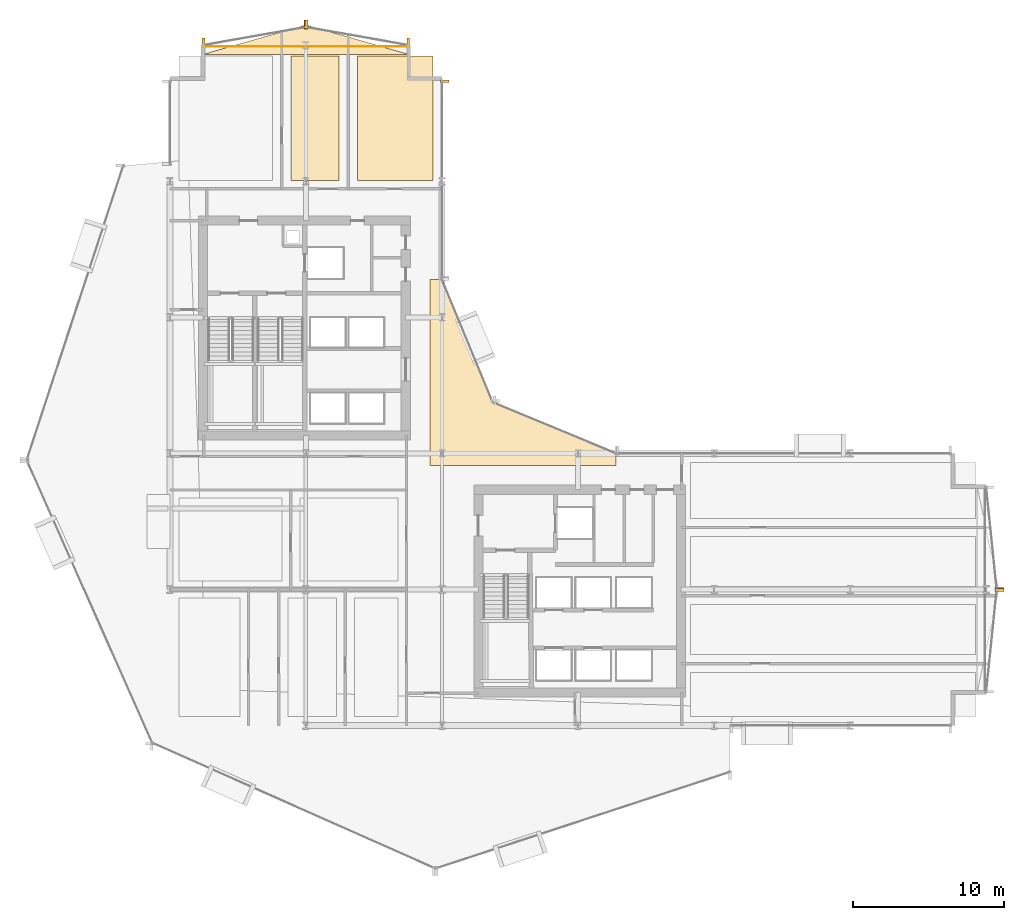
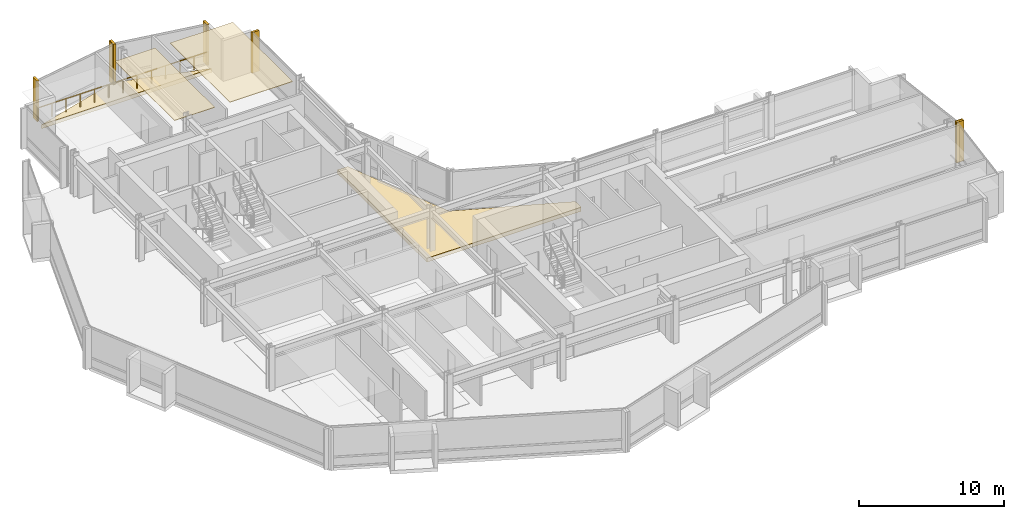
# One storey, part 34 of 34: 11 coverings, 1 railing.
"""IFC4 building model written with IfcOpenShell, lengths in metres."""

from ifc_helpers import new_model, si_unit, direction, frame, origin, origin_2d, place, context, subcontext, project, spatial, polyline, rectangle, circle, outline, extrude, material, layer, layer_set, type_object, element, save


model = new_model("IFC4")

# Units and contexts
model_context = context("Model", 3, precision=1e-05, world=origin(), true_north=direction((0.0, 1.0)))
body_context = subcontext(model_context, "Body", "Model", "MODEL_VIEW")
ifc_project = project(units=[si_unit("LENGTHUNIT", "METRE"), si_unit("AREAUNIT", "SQUARE_METRE"), si_unit("VOLUMEUNIT", "CUBIC_METRE"), si_unit("PLANEANGLEUNIT", "RADIAN"), si_unit("MASSUNIT", "GRAM", prefix="KILO")], contexts=[model_context])

# Site, building, storey
site_placement = place(None, origin())
site = spatial("IfcSite", under=ifc_project, at=site_placement, CompositionType="ELEMENT")
building_placement = place(site_placement, origin())
building = spatial("IfcBuilding", under=site, at=building_placement, Name="Solvaryn Broadcast Tower", CompositionType="ELEMENT")
storey_placement = place(building_placement, frame((0.0, 0.0, 50.800048828125)))
storey = spatial("IfcBuildingStorey", under=building, at=storey_placement, Name="L11", CompositionType="ELEMENT", Elevation=50.800048828125)

# Coverings
ifc_material_1 = material(Name="Micro-Perforated Acoustic Gypsum Ceiling", Category="concrete")
ifc_layer_1 = layer(ifc_material_1, 0.0400390625)
ifc_layer_set_1 = layer_set([ifc_layer_1], Name="CV-CEIL-ACOUSTIC")
covering_type_1 = type_object("IfcCoveringType", Name="CV-CEIL-ACOUSTIC", PredefinedType="CEILING", material=ifc_layer_set_1)
covering_1_placement = place(storey_placement, frame((0.0, 0.0, 3.3798828125)))
element("IfcCovering", 1, at=covering_1_placement, inside=storey, type_object=covering_type_1, Name="L11 Room Acoustic Ceiling 7", PredefinedType="CEILING", context=body_context, shape_type="SweptSolid", body=[
    extrude(outline(polyline([(17.0, 45.070068359375), (20.199951171875, 45.070068359375), (20.199951171875, 53.300048828125), (17.0, 53.300048828125), (17.0, 45.070068359375)])), origin(), (0.0, 0.0, 1.0), 0.0400390625),
])
covering_2_placement = place(storey_placement, frame((0.0, 0.0, 3.3798828125)))
element("IfcCovering", 2, at=covering_2_placement, inside=storey, type_object=covering_type_1, Name="L11 Room Acoustic Ceiling 8", PredefinedType="CEILING", context=body_context, shape_type="SweptSolid", body=[
    extrude(outline(polyline([(21.39990234375, 45.070068359375), (26.39990234375, 45.070068359375), (26.39990234375, 53.300048828125), (21.39990234375, 53.300048828125), (21.39990234375, 45.070068359375)])), origin(), (0.0, 0.0, 1.0), 0.0400390625),
])
ifc_material_2 = material(Name="Extruded Architectural Terracotta Fin", Category="masonry")
ifc_layer_2 = layer(ifc_material_2, 0.179931640625)
ifc_layer_set_2 = layer_set([ifc_layer_2], Name="CV-TC-FIN")
covering_type_2 = type_object("IfcCoveringType", Name="CV-TC-FIN", PredefinedType="USERDEFINED", material=ifc_layer_set_2)
covering_3_placement = place(storey_placement, frame((27.1875, 51.6201171875, 0.0), z_axis=(0.0, 0.0, 1.0), x_axis=(1.0, 0.0, 0.0)))
element("IfcCovering", 3, at=covering_3_placement, inside=storey, type_object=covering_type_2, Name="L11 Terracotta Vertical Fin FIN-L11-IV-M00", ObjectType="FIN", PredefinedType="USERDEFINED", context=body_context, shape_type="SweptSolid", body=[
    extrude(rectangle(XDim=0.580078125, YDim=0.179931640625, at=origin_2d()), origin(), (0.0, 0.0, 1.0), 3.419921875),
])
for number, where, z_axis, x_axis, name in (
    (4, (24.7705078125, 54.192626953125, 0.0), (0.0, 0.0, 1.0), (1.0, 0.0, 0.0), "L11 Terracotta Vertical Fin FIN-L11-NT1-M00"),
    (5, (18.029541015625, 55.38232421875, 0.0), (0.0, 0.0, 1.0), (1.0, 0.0, 0.0), "L11 Terracotta Vertical Fin FIN-L11-NT1-M01"),
    (6, (17.970458984375, 55.38232421875, 0.0), (0.0, 0.0, 1.0), (1.0, 0.0, 0.0), "L11 Terracotta Vertical Fin FIN-L11-NT2-M00"),
    (7, (11.2294921875, 54.192626953125, 0.0), (0.0, 0.0, 1.0), (1.0, 0.0, 0.0), "L11 Terracotta Vertical Fin FIN-L11-NT2-M01"),
):
    element("IfcCovering", number, at=place(storey_placement, frame(where, z_axis=z_axis, x_axis=x_axis)), inside=storey, type_object=covering_type_2, Name=name, ObjectType="FIN", PredefinedType="USERDEFINED", context=body_context, shape_type="SweptSolid", body=[
        extrude(rectangle(XDim=0.179931640625, YDim=0.580078125, at=origin_2d()), origin(), (0.0, 0.0, 1.0), 3.419921875),
    ])
for number, where, z_axis, x_axis, name in (
    (8, (63.884521484375, 18.02978515625, 0.0), (0.0, 0.0, 1.0), (1.0, 0.0, 0.0), "L11 Terracotta Vertical Fin FIN-L11-ET1-M01"),
    (9, (63.884521484375, 17.97021484375, 0.0), (0.0, 0.0, 1.0), (1.0, 0.0, 0.0), "L11 Terracotta Vertical Fin FIN-L11-ET2-M00"),
):
    element("IfcCovering", number, at=place(storey_placement, frame(where, z_axis=z_axis, x_axis=x_axis)), inside=storey, type_object=covering_type_2, Name=name, ObjectType="FIN", PredefinedType="USERDEFINED", context=body_context, shape_type="SweptSolid", body=[
        extrude(rectangle(XDim=0.580078125, YDim=0.179931640625, at=origin_2d()), origin(), (0.0, 0.0, 1.0), 3.419921875),
    ])
ifc_material_3 = material(Name="Sculpted Architectural Terracotta Wave Fascia", Category="masonry")
ifc_layer_3 = layer(ifc_material_3, 0.340087890625)
ifc_layer_set_3 = layer_set([ifc_layer_3], Name="CV-WAVE-TRAY")
covering_type_3 = type_object("IfcCoveringType", Name="CV-WAVE-TRAY", PredefinedType="CLADDING", material=ifc_layer_set_3)
covering_4_placement = place(storey_placement, frame((0.0, 0.0, -0.300048828125)))
element("IfcCovering", 10, at=covering_4_placement, inside=storey, type_object=covering_type_3, Name="L11 Concave Canyon Floor Apron", PredefinedType="CLADDING", context=body_context, shape_type="SweptSolid", body=[
    extrude(outline(polyline([(26.199951171875, 26.199951171875), (38.5, 26.199951171875), (38.5, 27.0), (30.367919921875, 30.367919921875), (27.0, 38.5), (26.199951171875, 38.5), (26.199951171875, 26.199951171875)])), origin(), (0.0, 0.0, 1.0), 0.330078125),
])
covering_5_placement = place(storey_placement, frame((0.0, 0.0, -0.300048828125)))
element("IfcCovering", 11, at=covering_5_placement, inside=storey, type_object=covering_type_3, Name="L11 North Curved Wing Deck", PredefinedType="CLADDING", context=body_context, shape_type="SweptSolid", body=[
    extrude(outline(polyline([(11.199951171875, 53.39990234375), (24.800048828125, 53.39990234375), (18.0, 55.35009765625), (11.199951171875, 53.39990234375)])), origin(), (0.0, 0.0, 1.0), 0.330078125),
])

# Railing
ifc_material_4 = material(Name="Stainless Steel and Laminated Glass Guard", Category="steel")
railing_type = type_object("IfcRailingType", Name="RL-TER-1150", PredefinedType="BALUSTRADE", material=ifc_material_4)
railing_placement = place(storey_placement, frame((11.199951171875, 53.919921875, 0.0)))
element("IfcRailing", 12, at=railing_placement, inside=storey, type_object=railing_type, Name="L11 North Wing Spandrel Edge Guard", PredefinedType="BALUSTRADE", context=body_context, shape_type="SweptSolid", body=[
    extrude(circle(Radius=0.02392578125, at=origin_2d()), frame((0.0, 0.0, 1.1259765625), z_axis=(1.0, 0.0, 0.0), x_axis=(0.0, 1.0, 0.0)), (0.0, 0.0, 1.0), 13.60009765625),
    extrude(circle(Radius=0.02099609375, at=origin_2d()), origin(), (0.0, 0.0, 1.0), 1.101806640625),
    extrude(circle(Radius=0.02099609375, at=origin_2d()), frame((1.13330078125, 0.0, 0.0)), (0.0, 0.0, 1.0), 1.101806640625),
    extrude(circle(Radius=0.02099609375, at=origin_2d()), frame((2.2666015625, 0.0, 0.0)), (0.0, 0.0, 1.0), 1.101806640625),
    extrude(circle(Radius=0.02099609375, at=origin_2d()), frame((3.39990234375, 0.0, 0.0)), (0.0, 0.0, 1.0), 1.101806640625),
    extrude(circle(Radius=0.02099609375, at=origin_2d()), frame((4.533447265625, 0.0, 0.0)), (0.0, 0.0, 1.0), 1.101806640625),
    extrude(circle(Radius=0.02099609375, at=origin_2d()), frame((5.666748046875, 0.0, 0.0)), (0.0, 0.0, 1.0), 1.101806640625),
    extrude(circle(Radius=0.02099609375, at=origin_2d()), frame((6.800048828125, 0.0, 0.0)), (0.0, 0.0, 1.0), 1.101806640625),
    extrude(circle(Radius=0.02099609375, at=origin_2d()), frame((7.933349609375, 0.0, 0.0)), (0.0, 0.0, 1.0), 1.101806640625),
    extrude(circle(Radius=0.02099609375, at=origin_2d()), frame((9.066650390625, 0.0, 0.0)), (0.0, 0.0, 1.0), 1.101806640625),
    extrude(circle(Radius=0.02099609375, at=origin_2d()), frame((10.2001953125, 0.0, 0.0)), (0.0, 0.0, 1.0), 1.101806640625),
    extrude(circle(Radius=0.02099609375, at=origin_2d()), frame((11.33349609375, 0.0, 0.0)), (0.0, 0.0, 1.0), 1.101806640625),
    extrude(circle(Radius=0.02099609375, at=origin_2d()), frame((12.466796875, 0.0, 0.0)), (0.0, 0.0, 1.0), 1.101806640625),
    extrude(circle(Radius=0.02099609375, at=origin_2d()), frame((13.60009765625, 0.0, 0.0)), (0.0, 0.0, 1.0), 1.101806640625),
])

save(model, "model.ifc")
